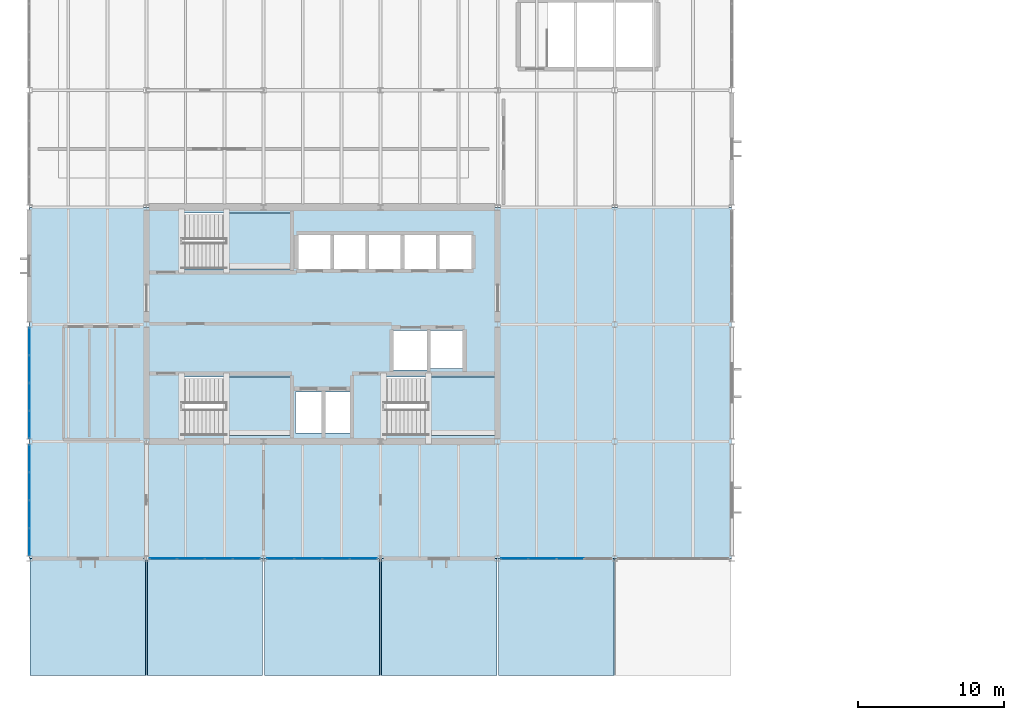
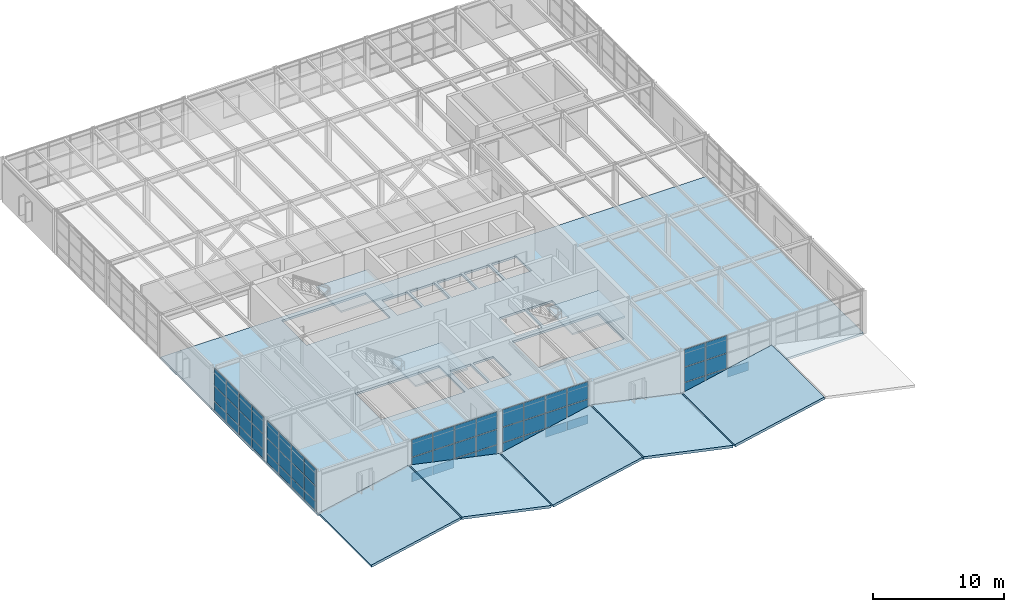
# One storey, part 21 of 34: 55 plates, 9 slabs, 8 elements without a shape of their own.
"""IFC4 building model written with IfcOpenShell, lengths in metres."""

from ifc_helpers import new_model, si_unit, direction, frame, origin, origin_2d, place, context, subcontext, project, spatial, polyline, rectangle, outline, extrude, material, layer, layer_set, type_object, element, aggregate, save


model = new_model("IFC4")

# Units and contexts
model_context = context("Model", 3, precision=1e-05, world=origin(), true_north=direction((0.0, 1.0)))
body_context = subcontext(model_context, "Body", "Model", "MODEL_VIEW")
ifc_project = project(units=[si_unit("LENGTHUNIT", "METRE"), si_unit("AREAUNIT", "SQUARE_METRE"), si_unit("VOLUMEUNIT", "CUBIC_METRE"), si_unit("PLANEANGLEUNIT", "RADIAN"), si_unit("MASSUNIT", "GRAM", prefix="KILO")], contexts=[model_context])

# Site, building, storey
site_placement = place(None, origin())
site = spatial("IfcSite", under=ifc_project, at=site_placement, CompositionType="ELEMENT")
building_placement = place(site_placement, origin())
building = spatial("IfcBuilding", under=site, at=building_placement, Name="Varnela Railside Interchange", CompositionType="ELEMENT")
storey_placement = place(building_placement, frame((0.0, 0.0, 19.60009765625)))
storey = spatial("IfcBuildingStorey", under=building, at=storey_placement, Name="L04", CompositionType="ELEMENT", Elevation=19.60009765625)

# Curtain wall, plates
ifc_material_1 = material(Name="Aluminium 6063-T6", Category="aluminium")
ifc_layer_1 = layer(ifc_material_1, 0.035888671875)
ifc_layer_set_1 = layer_set([ifc_layer_1], Name="Aluminium 6063-T6")
curtain_wall_type = type_object("IfcCurtainWallType", Name="Operations Wing Facade Curtain Wall CW-03", PredefinedType="USERDEFINED", material=ifc_layer_set_1)
curtain_wall_1_placement = place(storey_placement, origin())
curtain_wall_1 = element("IfcCurtainWall", 1, at=curtain_wall_1_placement, inside=storey, type_object=curtain_wall_type, Name="Curtain Wall CW-03 (L04) (CW-110)", ObjectType="CURTAIN WALL", PredefinedType="USERDEFINED")
ifc_material_2 = material(Name="Glass laminated double", Category="glass")
ifc_layer_2 = layer(ifc_material_2, 0.0400390625)
ifc_layer_set_2 = layer_set([ifc_layer_2], Name="Glass laminated double")
plate_type = type_object("IfcPlateType", Name="Acoustic Laminated Vision GL-03", PredefinedType="CURTAIN_PANEL", material=ifc_layer_set_2)
plate_1_placement = place(storey_placement, frame((40.953857421875, 46.0, 0.059814453125), z_axis=(0.0, 0.0, 1.0), x_axis=(-1.0, 0.0, 0.0)))
plate_1 = element("IfcPlate", 2, at=plate_1_placement, type_object=plate_type, Name="CW-03 panel 2.1", PredefinedType="CURTAIN_PANEL", context=body_context, shape_type="SweptSolid", body=[
    extrude(rectangle(XDim=1.847412109375, YDim=0.0400390625, at=origin_2d()), origin(), (0.0, 0.0, 1.0), 0.81005859375),
])
plate_2_placement = place(storey_placement, frame((39.046142578125, 46.0, 0.059814453125), z_axis=(0.0, 0.0, 1.0), x_axis=(-1.0, 0.0, 0.0)))
plate_2 = element("IfcPlate", 3, at=plate_2_placement, type_object=plate_type, Name="CW-03 panel 3.1", PredefinedType="CURTAIN_PANEL", context=body_context, shape_type="SweptSolid", body=[
    extrude(rectangle(XDim=1.847412109375, YDim=0.0400390625, at=origin_2d()), origin(), (0.0, 0.0, 1.0), 0.81005859375),
])
plate_3_placement = place(storey_placement, frame((39.046142578125, 46.0, 0.929931640625), z_axis=(0.0, 0.0, 1.0), x_axis=(-1.0, 0.0, 0.0)))
plate_3 = element("IfcPlate", 4, at=plate_3_placement, type_object=plate_type, Name="CW-03 panel 3.2", PredefinedType="CURTAIN_PANEL", context=body_context, shape_type="SweptSolid", body=[
    extrude(rectangle(XDim=1.847412109375, YDim=0.0400390625, at=origin_2d()), origin(), (0.0, 0.0, 1.0), 1.37158203125),
])
plate_4_placement = place(storey_placement, frame((39.046142578125, 46.0, 2.361328125), z_axis=(0.0, 0.0, 1.0), x_axis=(-1.0, 0.0, 0.0)))
plate_4 = element("IfcPlate", 5, at=plate_4_placement, type_object=plate_type, Name="CW-03 panel 3.3", PredefinedType="CURTAIN_PANEL", context=body_context, shape_type="SweptSolid", body=[
    extrude(rectangle(XDim=1.847412109375, YDim=0.0400390625, at=origin_2d()), origin(), (0.0, 0.0, 1.0), 1.598388671875),
])
plate_5_placement = place(storey_placement, frame((37.15380859375, 46.0, 0.059814453125), z_axis=(0.0, 0.0, 1.0), x_axis=(-1.0, 0.0, 0.0)))
plate_5 = element("IfcPlate", 6, at=plate_5_placement, type_object=plate_type, Name="CW-03 panel 4.1", PredefinedType="CURTAIN_PANEL", context=body_context, shape_type="SweptSolid", body=[
    extrude(rectangle(XDim=1.8173828125, YDim=0.0400390625, at=origin_2d()), origin(), (0.0, 0.0, 1.0), 0.81005859375),
])
plate_6_placement = place(storey_placement, frame((37.15380859375, 46.0, 0.929931640625), z_axis=(0.0, 0.0, 1.0), x_axis=(-1.0, 0.0, 0.0)))
plate_6 = element("IfcPlate", 7, at=plate_6_placement, type_object=plate_type, Name="CW-03 panel 4.2", PredefinedType="CURTAIN_PANEL", context=body_context, shape_type="SweptSolid", body=[
    extrude(rectangle(XDim=1.8173828125, YDim=0.0400390625, at=origin_2d()), origin(), (0.0, 0.0, 1.0), 1.37158203125),
])
plate_7_placement = place(storey_placement, frame((37.15380859375, 46.0, 2.361328125), z_axis=(0.0, 0.0, 1.0), x_axis=(-1.0, 0.0, 0.0)))
plate_7 = element("IfcPlate", 8, at=plate_7_placement, type_object=plate_type, Name="CW-03 panel 4.3", PredefinedType="CURTAIN_PANEL", context=body_context, shape_type="SweptSolid", body=[
    extrude(rectangle(XDim=1.8173828125, YDim=0.0400390625, at=origin_2d()), origin(), (0.0, 0.0, 1.0), 1.598388671875),
])
aggregate(curtain_wall_1, [plate_1, plate_2, plate_3, plate_4, plate_5, plate_6, plate_7])

curtain_wall_2_placement = place(storey_placement, origin())
curtain_wall_2 = element("IfcCurtainWall", 9, at=curtain_wall_2_placement, inside=storey, type_object=curtain_wall_type, Name="Curtain Wall CW-03 (L04) (CW-118)", ObjectType="CURTAIN WALL", PredefinedType="USERDEFINED")
plate_8_placement = place(storey_placement, frame((26.84619140625, 46.0, 0.059814453125), z_axis=(0.0, 0.0, 1.0), x_axis=(-1.0, 0.0, 0.0)))
plate_8 = element("IfcPlate", 10, at=plate_8_placement, type_object=plate_type, Name="CW-03 panel 1.1", PredefinedType="CURTAIN_PANEL", context=body_context, shape_type="SweptSolid", body=[
    extrude(rectangle(XDim=1.8173828125, YDim=0.0400390625, at=origin_2d()), origin(), (0.0, 0.0, 1.0), 0.81005859375),
])
plate_9_placement = place(storey_placement, frame((26.84619140625, 46.0, 0.929931640625), z_axis=(0.0, 0.0, 1.0), x_axis=(-1.0, 0.0, 0.0)))
plate_9 = element("IfcPlate", 11, at=plate_9_placement, type_object=plate_type, Name="CW-03 panel 1.2", PredefinedType="CURTAIN_PANEL", context=body_context, shape_type="SweptSolid", body=[
    extrude(rectangle(XDim=1.8173828125, YDim=0.0400390625, at=origin_2d()), origin(), (0.0, 0.0, 1.0), 1.37158203125),
])
plate_10_placement = place(storey_placement, frame((26.84619140625, 46.0, 2.361328125), z_axis=(0.0, 0.0, 1.0), x_axis=(-1.0, 0.0, 0.0)))
plate_10 = element("IfcPlate", 12, at=plate_10_placement, type_object=plate_type, Name="CW-03 panel 1.3", PredefinedType="CURTAIN_PANEL", context=body_context, shape_type="SweptSolid", body=[
    extrude(rectangle(XDim=1.8173828125, YDim=0.0400390625, at=origin_2d()), origin(), (0.0, 0.0, 1.0), 1.598388671875),
])
plate_11_placement = place(storey_placement, frame((24.953857421875, 46.0, 0.059814453125), z_axis=(0.0, 0.0, 1.0), x_axis=(-1.0, 0.0, 0.0)))
plate_11 = element("IfcPlate", 13, at=plate_11_placement, type_object=plate_type, Name="CW-03 panel 2.1", PredefinedType="CURTAIN_PANEL", context=body_context, shape_type="SweptSolid", body=[
    extrude(rectangle(XDim=1.847412109375, YDim=0.0400390625, at=origin_2d()), origin(), (0.0, 0.0, 1.0), 0.81005859375),
])
plate_12_placement = place(storey_placement, frame((24.953857421875, 46.0, 0.929931640625), z_axis=(0.0, 0.0, 1.0), x_axis=(-1.0, 0.0, 0.0)))
plate_12 = element("IfcPlate", 14, at=plate_12_placement, type_object=plate_type, Name="CW-03 panel 2.2", PredefinedType="CURTAIN_PANEL", context=body_context, shape_type="SweptSolid", body=[
    extrude(rectangle(XDim=1.847412109375, YDim=0.0400390625, at=origin_2d()), origin(), (0.0, 0.0, 1.0), 1.37158203125),
])
plate_13_placement = place(storey_placement, frame((24.953857421875, 46.0, 2.361328125), z_axis=(0.0, 0.0, 1.0), x_axis=(-1.0, 0.0, 0.0)))
plate_13 = element("IfcPlate", 15, at=plate_13_placement, type_object=plate_type, Name="CW-03 panel 2.3", PredefinedType="CURTAIN_PANEL", context=body_context, shape_type="SweptSolid", body=[
    extrude(rectangle(XDim=1.847412109375, YDim=0.0400390625, at=origin_2d()), origin(), (0.0, 0.0, 1.0), 1.598388671875),
])
plate_14_placement = place(storey_placement, frame((23.046142578125, 46.0, 0.059814453125), z_axis=(0.0, 0.0, 1.0), x_axis=(-1.0, 0.0, 0.0)))
plate_14 = element("IfcPlate", 16, at=plate_14_placement, type_object=plate_type, Name="CW-03 panel 3.1", PredefinedType="CURTAIN_PANEL", context=body_context, shape_type="SweptSolid", body=[
    extrude(rectangle(XDim=1.847412109375, YDim=0.0400390625, at=origin_2d()), origin(), (0.0, 0.0, 1.0), 0.81005859375),
])
plate_15_placement = place(storey_placement, frame((23.046142578125, 46.0, 0.929931640625), z_axis=(0.0, 0.0, 1.0), x_axis=(-1.0, 0.0, 0.0)))
plate_15 = element("IfcPlate", 17, at=plate_15_placement, type_object=plate_type, Name="CW-03 panel 3.2", PredefinedType="CURTAIN_PANEL", context=body_context, shape_type="SweptSolid", body=[
    extrude(rectangle(XDim=1.847412109375, YDim=0.0400390625, at=origin_2d()), origin(), (0.0, 0.0, 1.0), 1.37158203125),
])
plate_16_placement = place(storey_placement, frame((23.046142578125, 46.0, 2.361328125), z_axis=(0.0, 0.0, 1.0), x_axis=(-1.0, 0.0, 0.0)))
plate_16 = element("IfcPlate", 18, at=plate_16_placement, type_object=plate_type, Name="CW-03 panel 3.3", PredefinedType="CURTAIN_PANEL", context=body_context, shape_type="SweptSolid", body=[
    extrude(rectangle(XDim=1.847412109375, YDim=0.0400390625, at=origin_2d()), origin(), (0.0, 0.0, 1.0), 1.598388671875),
])
plate_17_placement = place(storey_placement, frame((21.15380859375, 46.0, 0.059814453125), z_axis=(0.0, 0.0, 1.0), x_axis=(-1.0, 0.0, 0.0)))
plate_17 = element("IfcPlate", 19, at=plate_17_placement, type_object=plate_type, Name="CW-03 panel 4.1", PredefinedType="CURTAIN_PANEL", context=body_context, shape_type="SweptSolid", body=[
    extrude(rectangle(XDim=1.8173828125, YDim=0.0400390625, at=origin_2d()), origin(), (0.0, 0.0, 1.0), 0.81005859375),
])
plate_18_placement = place(storey_placement, frame((21.15380859375, 46.0, 0.929931640625), z_axis=(0.0, 0.0, 1.0), x_axis=(-1.0, 0.0, 0.0)))
plate_18 = element("IfcPlate", 20, at=plate_18_placement, type_object=plate_type, Name="CW-03 panel 4.2", PredefinedType="CURTAIN_PANEL", context=body_context, shape_type="SweptSolid", body=[
    extrude(rectangle(XDim=1.8173828125, YDim=0.0400390625, at=origin_2d()), origin(), (0.0, 0.0, 1.0), 1.37158203125),
])
plate_19_placement = place(storey_placement, frame((21.15380859375, 46.0, 2.361328125), z_axis=(0.0, 0.0, 1.0), x_axis=(-1.0, 0.0, 0.0)))
plate_19 = element("IfcPlate", 21, at=plate_19_placement, type_object=plate_type, Name="CW-03 panel 4.3", PredefinedType="CURTAIN_PANEL", context=body_context, shape_type="SweptSolid", body=[
    extrude(rectangle(XDim=1.8173828125, YDim=0.0400390625, at=origin_2d()), origin(), (0.0, 0.0, 1.0), 1.598388671875),
])
aggregate(curtain_wall_2, [plate_8, plate_9, plate_10, plate_11, plate_12, plate_13, plate_14, plate_15, plate_16, plate_17, plate_18, plate_19])

curtain_wall_3_placement = place(storey_placement, origin())
curtain_wall_3 = element("IfcCurtainWall", 22, at=curtain_wall_3_placement, inside=storey, type_object=curtain_wall_type, Name="Curtain Wall CW-03 (L04) (CW-120)", ObjectType="CURTAIN WALL", PredefinedType="USERDEFINED")
plate_20_placement = place(storey_placement, frame((18.84619140625, 46.0, 0.059814453125), z_axis=(0.0, 0.0, 1.0), x_axis=(-1.0, 0.0, 0.0)))
plate_20 = element("IfcPlate", 23, at=plate_20_placement, type_object=plate_type, Name="CW-03 panel 1.1", PredefinedType="CURTAIN_PANEL", context=body_context, shape_type="SweptSolid", body=[
    extrude(rectangle(XDim=1.8173828125, YDim=0.0400390625, at=origin_2d()), origin(), (0.0, 0.0, 1.0), 0.81005859375),
])
plate_21_placement = place(storey_placement, frame((18.84619140625, 46.0, 0.929931640625), z_axis=(0.0, 0.0, 1.0), x_axis=(-1.0, 0.0, 0.0)))
plate_21 = element("IfcPlate", 24, at=plate_21_placement, type_object=plate_type, Name="CW-03 panel 1.2", PredefinedType="CURTAIN_PANEL", context=body_context, shape_type="SweptSolid", body=[
    extrude(rectangle(XDim=1.8173828125, YDim=0.0400390625, at=origin_2d()), origin(), (0.0, 0.0, 1.0), 1.37158203125),
])
plate_22_placement = place(storey_placement, frame((18.84619140625, 46.0, 2.361328125), z_axis=(0.0, 0.0, 1.0), x_axis=(-1.0, 0.0, 0.0)))
plate_22 = element("IfcPlate", 25, at=plate_22_placement, type_object=plate_type, Name="CW-03 panel 1.3", PredefinedType="CURTAIN_PANEL", context=body_context, shape_type="SweptSolid", body=[
    extrude(rectangle(XDim=1.8173828125, YDim=0.0400390625, at=origin_2d()), origin(), (0.0, 0.0, 1.0), 1.598388671875),
])
plate_23_placement = place(storey_placement, frame((16.953857421875, 46.0, 0.059814453125), z_axis=(0.0, 0.0, 1.0), x_axis=(-1.0, 0.0, 0.0)))
plate_23 = element("IfcPlate", 26, at=plate_23_placement, type_object=plate_type, Name="CW-03 panel 2.1", PredefinedType="CURTAIN_PANEL", context=body_context, shape_type="SweptSolid", body=[
    extrude(rectangle(XDim=1.847412109375, YDim=0.0400390625, at=origin_2d()), origin(), (0.0, 0.0, 1.0), 0.81005859375),
])
plate_24_placement = place(storey_placement, frame((16.953857421875, 46.0, 0.929931640625), z_axis=(0.0, 0.0, 1.0), x_axis=(-1.0, 0.0, 0.0)))
plate_24 = element("IfcPlate", 27, at=plate_24_placement, type_object=plate_type, Name="CW-03 panel 2.2", PredefinedType="CURTAIN_PANEL", context=body_context, shape_type="SweptSolid", body=[
    extrude(rectangle(XDim=1.847412109375, YDim=0.0400390625, at=origin_2d()), origin(), (0.0, 0.0, 1.0), 1.37158203125),
])
plate_25_placement = place(storey_placement, frame((16.953857421875, 46.0, 2.361328125), z_axis=(0.0, 0.0, 1.0), x_axis=(-1.0, 0.0, 0.0)))
plate_25 = element("IfcPlate", 28, at=plate_25_placement, type_object=plate_type, Name="CW-03 panel 2.3", PredefinedType="CURTAIN_PANEL", context=body_context, shape_type="SweptSolid", body=[
    extrude(rectangle(XDim=1.847412109375, YDim=0.0400390625, at=origin_2d()), origin(), (0.0, 0.0, 1.0), 1.598388671875),
])
plate_26_placement = place(storey_placement, frame((15.046142578125, 46.0, 0.059814453125), z_axis=(0.0, 0.0, 1.0), x_axis=(-1.0, 0.0, 0.0)))
plate_26 = element("IfcPlate", 29, at=plate_26_placement, type_object=plate_type, Name="CW-03 panel 3.1", PredefinedType="CURTAIN_PANEL", context=body_context, shape_type="SweptSolid", body=[
    extrude(rectangle(XDim=1.847412109375, YDim=0.0400390625, at=origin_2d()), origin(), (0.0, 0.0, 1.0), 0.81005859375),
])
plate_27_placement = place(storey_placement, frame((15.046142578125, 46.0, 0.929931640625), z_axis=(0.0, 0.0, 1.0), x_axis=(-1.0, 0.0, 0.0)))
plate_27 = element("IfcPlate", 30, at=plate_27_placement, type_object=plate_type, Name="CW-03 panel 3.2", PredefinedType="CURTAIN_PANEL", context=body_context, shape_type="SweptSolid", body=[
    extrude(rectangle(XDim=1.847412109375, YDim=0.0400390625, at=origin_2d()), origin(), (0.0, 0.0, 1.0), 1.37158203125),
])
plate_28_placement = place(storey_placement, frame((15.046142578125, 46.0, 2.361328125), z_axis=(0.0, 0.0, 1.0), x_axis=(-1.0, 0.0, 0.0)))
plate_28 = element("IfcPlate", 31, at=plate_28_placement, type_object=plate_type, Name="CW-03 panel 3.3", PredefinedType="CURTAIN_PANEL", context=body_context, shape_type="SweptSolid", body=[
    extrude(rectangle(XDim=1.847412109375, YDim=0.0400390625, at=origin_2d()), origin(), (0.0, 0.0, 1.0), 1.598388671875),
])
plate_29_placement = place(storey_placement, frame((13.15380859375, 46.0, 0.059814453125), z_axis=(0.0, 0.0, 1.0), x_axis=(-1.0, 0.0, 0.0)))
plate_29 = element("IfcPlate", 32, at=plate_29_placement, type_object=plate_type, Name="CW-03 panel 4.1", PredefinedType="CURTAIN_PANEL", context=body_context, shape_type="SweptSolid", body=[
    extrude(rectangle(XDim=1.8173828125, YDim=0.0400390625, at=origin_2d()), origin(), (0.0, 0.0, 1.0), 0.81005859375),
])
plate_30_placement = place(storey_placement, frame((13.15380859375, 46.0, 0.929931640625), z_axis=(0.0, 0.0, 1.0), x_axis=(-1.0, 0.0, 0.0)))
plate_30 = element("IfcPlate", 33, at=plate_30_placement, type_object=plate_type, Name="CW-03 panel 4.2", PredefinedType="CURTAIN_PANEL", context=body_context, shape_type="SweptSolid", body=[
    extrude(rectangle(XDim=1.8173828125, YDim=0.0400390625, at=origin_2d()), origin(), (0.0, 0.0, 1.0), 1.37158203125),
])
plate_31_placement = place(storey_placement, frame((13.15380859375, 46.0, 2.361328125), z_axis=(0.0, 0.0, 1.0), x_axis=(-1.0, 0.0, 0.0)))
plate_31 = element("IfcPlate", 34, at=plate_31_placement, type_object=plate_type, Name="CW-03 panel 4.3", PredefinedType="CURTAIN_PANEL", context=body_context, shape_type="SweptSolid", body=[
    extrude(rectangle(XDim=1.8173828125, YDim=0.0400390625, at=origin_2d()), origin(), (0.0, 0.0, 1.0), 1.598388671875),
])
aggregate(curtain_wall_3, [plate_20, plate_21, plate_22, plate_23, plate_24, plate_25, plate_26, plate_27, plate_28, plate_29, plate_30, plate_31])

curtain_wall_4_placement = place(storey_placement, origin())
curtain_wall_4 = element("IfcCurtainWall", 35, at=curtain_wall_4_placement, inside=storey, type_object=curtain_wall_type, Name="Curtain Wall CW-03 (L04) (CW-121)", ObjectType="CURTAIN WALL", PredefinedType="USERDEFINED")
plate_32_placement = place(storey_placement, frame((4.0, 47.14990234375, 0.059814453125), z_axis=(0.0, 0.0, 1.0), x_axis=(0.0, 1.0, 0.0)))
plate_32 = element("IfcPlate", 36, at=plate_32_placement, type_object=plate_type, Name="CW-03 panel 1.1", PredefinedType="CURTAIN_PANEL", context=body_context, shape_type="SweptSolid", body=[
    extrude(rectangle(XDim=1.820068359375, YDim=0.0400390625, at=origin_2d()), origin(), (0.0, 0.0, 1.0), 0.81005859375),
])
plate_33_placement = place(storey_placement, frame((4.0, 47.14990234375, 0.929931640625), z_axis=(0.0, 0.0, 1.0), x_axis=(0.0, 1.0, 0.0)))
plate_33 = element("IfcPlate", 37, at=plate_33_placement, type_object=plate_type, Name="CW-03 panel 1.2", PredefinedType="CURTAIN_PANEL", context=body_context, shape_type="SweptSolid", body=[
    extrude(rectangle(XDim=1.820068359375, YDim=0.0400390625, at=origin_2d()), origin(), (0.0, 0.0, 1.0), 1.37158203125),
])
plate_34_placement = place(storey_placement, frame((4.0, 47.14990234375, 2.361328125), z_axis=(0.0, 0.0, 1.0), x_axis=(0.0, 1.0, 0.0)))
plate_34 = element("IfcPlate", 38, at=plate_34_placement, type_object=plate_type, Name="CW-03 panel 1.3", PredefinedType="CURTAIN_PANEL", context=body_context, shape_type="SweptSolid", body=[
    extrude(rectangle(XDim=1.820068359375, YDim=0.0400390625, at=origin_2d()), origin(), (0.0, 0.0, 1.0), 1.598388671875),
])
plate_35_placement = place(storey_placement, frame((4.0, 49.044921875, 0.059814453125), z_axis=(0.0, 0.0, 1.0), x_axis=(0.0, 1.0, 0.0)))
plate_35 = element("IfcPlate", 39, at=plate_35_placement, type_object=plate_type, Name="CW-03 panel 2.1", PredefinedType="CURTAIN_PANEL", context=body_context, shape_type="SweptSolid", body=[
    extrude(rectangle(XDim=1.85009765625, YDim=0.0400390625, at=origin_2d()), origin(), (0.0, 0.0, 1.0), 0.81005859375),
])
plate_36_placement = place(storey_placement, frame((4.0, 49.044921875, 0.929931640625), z_axis=(0.0, 0.0, 1.0), x_axis=(0.0, 1.0, 0.0)))
plate_36 = element("IfcPlate", 40, at=plate_36_placement, type_object=plate_type, Name="CW-03 panel 2.2", PredefinedType="CURTAIN_PANEL", context=body_context, shape_type="SweptSolid", body=[
    extrude(rectangle(XDim=1.85009765625, YDim=0.0400390625, at=origin_2d()), origin(), (0.0, 0.0, 1.0), 1.37158203125),
])
plate_37_placement = place(storey_placement, frame((4.0, 49.044921875, 2.361328125), z_axis=(0.0, 0.0, 1.0), x_axis=(0.0, 1.0, 0.0)))
plate_37 = element("IfcPlate", 41, at=plate_37_placement, type_object=plate_type, Name="CW-03 panel 2.3", PredefinedType="CURTAIN_PANEL", context=body_context, shape_type="SweptSolid", body=[
    extrude(rectangle(XDim=1.85009765625, YDim=0.0400390625, at=origin_2d()), origin(), (0.0, 0.0, 1.0), 1.598388671875),
])
plate_38_placement = place(storey_placement, frame((4.0, 50.955078125, 0.059814453125), z_axis=(0.0, 0.0, 1.0), x_axis=(0.0, 1.0, 0.0)))
plate_38 = element("IfcPlate", 42, at=plate_38_placement, type_object=plate_type, Name="CW-03 panel 3.1", PredefinedType="CURTAIN_PANEL", context=body_context, shape_type="SweptSolid", body=[
    extrude(rectangle(XDim=1.85009765625, YDim=0.0400390625, at=origin_2d()), origin(), (0.0, 0.0, 1.0), 0.81005859375),
])
plate_39_placement = place(storey_placement, frame((4.0, 50.955078125, 0.929931640625), z_axis=(0.0, 0.0, 1.0), x_axis=(0.0, 1.0, 0.0)))
plate_39 = element("IfcPlate", 43, at=plate_39_placement, type_object=plate_type, Name="CW-03 panel 3.2", PredefinedType="CURTAIN_PANEL", context=body_context, shape_type="SweptSolid", body=[
    extrude(rectangle(XDim=1.85009765625, YDim=0.0400390625, at=origin_2d()), origin(), (0.0, 0.0, 1.0), 1.37158203125),
])
plate_40_placement = place(storey_placement, frame((4.0, 50.955078125, 2.361328125), z_axis=(0.0, 0.0, 1.0), x_axis=(0.0, 1.0, 0.0)))
plate_40 = element("IfcPlate", 44, at=plate_40_placement, type_object=plate_type, Name="CW-03 panel 3.3", PredefinedType="CURTAIN_PANEL", context=body_context, shape_type="SweptSolid", body=[
    extrude(rectangle(XDim=1.85009765625, YDim=0.0400390625, at=origin_2d()), origin(), (0.0, 0.0, 1.0), 1.598388671875),
])
plate_41_placement = place(storey_placement, frame((4.0, 52.85009765625, 0.059814453125), z_axis=(0.0, 0.0, 1.0), x_axis=(0.0, 1.0, 0.0)))
plate_41 = element("IfcPlate", 45, at=plate_41_placement, type_object=plate_type, Name="CW-03 panel 4.1", PredefinedType="CURTAIN_PANEL", context=body_context, shape_type="SweptSolid", body=[
    extrude(rectangle(XDim=1.820068359375, YDim=0.0400390625, at=origin_2d()), origin(), (0.0, 0.0, 1.0), 0.81005859375),
])
plate_42_placement = place(storey_placement, frame((4.0, 52.85009765625, 0.929931640625), z_axis=(0.0, 0.0, 1.0), x_axis=(0.0, 1.0, 0.0)))
plate_42 = element("IfcPlate", 46, at=plate_42_placement, type_object=plate_type, Name="CW-03 panel 4.2", PredefinedType="CURTAIN_PANEL", context=body_context, shape_type="SweptSolid", body=[
    extrude(rectangle(XDim=1.820068359375, YDim=0.0400390625, at=origin_2d()), origin(), (0.0, 0.0, 1.0), 1.37158203125),
])
plate_43_placement = place(storey_placement, frame((4.0, 52.85009765625, 2.361328125), z_axis=(0.0, 0.0, 1.0), x_axis=(0.0, 1.0, 0.0)))
plate_43 = element("IfcPlate", 47, at=plate_43_placement, type_object=plate_type, Name="CW-03 panel 4.3", PredefinedType="CURTAIN_PANEL", context=body_context, shape_type="SweptSolid", body=[
    extrude(rectangle(XDim=1.820068359375, YDim=0.0400390625, at=origin_2d()), origin(), (0.0, 0.0, 1.0), 1.598388671875),
])
aggregate(curtain_wall_4, [plate_32, plate_33, plate_34, plate_35, plate_36, plate_37, plate_38, plate_39, plate_40, plate_41, plate_42, plate_43])

curtain_wall_5_placement = place(storey_placement, origin())
curtain_wall_5 = element("IfcCurtainWall", 48, at=curtain_wall_5_placement, inside=storey, type_object=curtain_wall_type, Name="Curtain Wall CW-03 (L04) (CW-122)", ObjectType="CURTAIN WALL", PredefinedType="USERDEFINED")
plate_44_placement = place(storey_placement, frame((4.0, 55.14990234375, 0.059814453125), z_axis=(0.0, 0.0, 1.0), x_axis=(0.0, 1.0, 0.0)))
plate_44 = element("IfcPlate", 49, at=plate_44_placement, type_object=plate_type, Name="CW-03 panel 1.1", PredefinedType="CURTAIN_PANEL", context=body_context, shape_type="SweptSolid", body=[
    extrude(rectangle(XDim=1.820068359375, YDim=0.0400390625, at=origin_2d()), origin(), (0.0, 0.0, 1.0), 0.81005859375),
])
plate_45_placement = place(storey_placement, frame((4.0, 55.14990234375, 0.929931640625), z_axis=(0.0, 0.0, 1.0), x_axis=(0.0, 1.0, 0.0)))
plate_45 = element("IfcPlate", 50, at=plate_45_placement, type_object=plate_type, Name="CW-03 panel 1.2", PredefinedType="CURTAIN_PANEL", context=body_context, shape_type="SweptSolid", body=[
    extrude(rectangle(XDim=1.820068359375, YDim=0.0400390625, at=origin_2d()), origin(), (0.0, 0.0, 1.0), 1.37158203125),
])
plate_46_placement = place(storey_placement, frame((4.0, 55.14990234375, 2.361328125), z_axis=(0.0, 0.0, 1.0), x_axis=(0.0, 1.0, 0.0)))
plate_46 = element("IfcPlate", 51, at=plate_46_placement, type_object=plate_type, Name="CW-03 panel 1.3", PredefinedType="CURTAIN_PANEL", context=body_context, shape_type="SweptSolid", body=[
    extrude(rectangle(XDim=1.820068359375, YDim=0.0400390625, at=origin_2d()), origin(), (0.0, 0.0, 1.0), 1.598388671875),
])
plate_47_placement = place(storey_placement, frame((4.0, 57.044921875, 0.059814453125), z_axis=(0.0, 0.0, 1.0), x_axis=(0.0, 1.0, 0.0)))
plate_47 = element("IfcPlate", 52, at=plate_47_placement, type_object=plate_type, Name="CW-03 panel 2.1", PredefinedType="CURTAIN_PANEL", context=body_context, shape_type="SweptSolid", body=[
    extrude(rectangle(XDim=1.85009765625, YDim=0.0400390625, at=origin_2d()), origin(), (0.0, 0.0, 1.0), 0.81005859375),
])
plate_48_placement = place(storey_placement, frame((4.0, 57.044921875, 0.929931640625), z_axis=(0.0, 0.0, 1.0), x_axis=(0.0, 1.0, 0.0)))
plate_48 = element("IfcPlate", 53, at=plate_48_placement, type_object=plate_type, Name="CW-03 panel 2.2", PredefinedType="CURTAIN_PANEL", context=body_context, shape_type="SweptSolid", body=[
    extrude(rectangle(XDim=1.85009765625, YDim=0.0400390625, at=origin_2d()), origin(), (0.0, 0.0, 1.0), 1.37158203125),
])
plate_49_placement = place(storey_placement, frame((4.0, 57.044921875, 2.361328125), z_axis=(0.0, 0.0, 1.0), x_axis=(0.0, 1.0, 0.0)))
plate_49 = element("IfcPlate", 54, at=plate_49_placement, type_object=plate_type, Name="CW-03 panel 2.3", PredefinedType="CURTAIN_PANEL", context=body_context, shape_type="SweptSolid", body=[
    extrude(rectangle(XDim=1.85009765625, YDim=0.0400390625, at=origin_2d()), origin(), (0.0, 0.0, 1.0), 1.598388671875),
])
plate_50_placement = place(storey_placement, frame((4.0, 58.955078125, 0.059814453125), z_axis=(0.0, 0.0, 1.0), x_axis=(0.0, 1.0, 0.0)))
plate_50 = element("IfcPlate", 55, at=plate_50_placement, type_object=plate_type, Name="CW-03 panel 3.1", PredefinedType="CURTAIN_PANEL", context=body_context, shape_type="SweptSolid", body=[
    extrude(rectangle(XDim=1.85009765625, YDim=0.0400390625, at=origin_2d()), origin(), (0.0, 0.0, 1.0), 0.81005859375),
])
plate_51_placement = place(storey_placement, frame((4.0, 58.955078125, 0.929931640625), z_axis=(0.0, 0.0, 1.0), x_axis=(0.0, 1.0, 0.0)))
plate_51 = element("IfcPlate", 56, at=plate_51_placement, type_object=plate_type, Name="CW-03 panel 3.2", PredefinedType="CURTAIN_PANEL", context=body_context, shape_type="SweptSolid", body=[
    extrude(rectangle(XDim=1.85009765625, YDim=0.0400390625, at=origin_2d()), origin(), (0.0, 0.0, 1.0), 1.37158203125),
])
plate_52_placement = place(storey_placement, frame((4.0, 58.955078125, 2.361328125), z_axis=(0.0, 0.0, 1.0), x_axis=(0.0, 1.0, 0.0)))
plate_52 = element("IfcPlate", 57, at=plate_52_placement, type_object=plate_type, Name="CW-03 panel 3.3", PredefinedType="CURTAIN_PANEL", context=body_context, shape_type="SweptSolid", body=[
    extrude(rectangle(XDim=1.85009765625, YDim=0.0400390625, at=origin_2d()), origin(), (0.0, 0.0, 1.0), 1.598388671875),
])
plate_53_placement = place(storey_placement, frame((4.0, 60.85009765625, 0.059814453125), z_axis=(0.0, 0.0, 1.0), x_axis=(0.0, 1.0, 0.0)))
plate_53 = element("IfcPlate", 58, at=plate_53_placement, type_object=plate_type, Name="CW-03 panel 4.1", PredefinedType="CURTAIN_PANEL", context=body_context, shape_type="SweptSolid", body=[
    extrude(rectangle(XDim=1.820068359375, YDim=0.0400390625, at=origin_2d()), origin(), (0.0, 0.0, 1.0), 0.81005859375),
])
plate_54_placement = place(storey_placement, frame((4.0, 60.85009765625, 0.929931640625), z_axis=(0.0, 0.0, 1.0), x_axis=(0.0, 1.0, 0.0)))
plate_54 = element("IfcPlate", 59, at=plate_54_placement, type_object=plate_type, Name="CW-03 panel 4.2", PredefinedType="CURTAIN_PANEL", context=body_context, shape_type="SweptSolid", body=[
    extrude(rectangle(XDim=1.820068359375, YDim=0.0400390625, at=origin_2d()), origin(), (0.0, 0.0, 1.0), 1.37158203125),
])
plate_55_placement = place(storey_placement, frame((4.0, 60.85009765625, 2.361328125), z_axis=(0.0, 0.0, 1.0), x_axis=(0.0, 1.0, 0.0)))
plate_55 = element("IfcPlate", 60, at=plate_55_placement, type_object=plate_type, Name="CW-03 panel 4.3", PredefinedType="CURTAIN_PANEL", context=body_context, shape_type="SweptSolid", body=[
    extrude(rectangle(XDim=1.820068359375, YDim=0.0400390625, at=origin_2d()), origin(), (0.0, 0.0, 1.0), 1.598388671875),
])
aggregate(curtain_wall_5, [plate_44, plate_45, plate_46, plate_47, plate_48, plate_49, plate_50, plate_51, plate_52, plate_53, plate_54, plate_55])

# Slabs
ifc_material_3 = material(Name="Concrete C40", Category="concrete")
ifc_layer_3 = layer(ifc_material_3, 0.199951171875)
ifc_layer_set_3 = layer_set([ifc_layer_3], Name="Concrete C40")
slab_type_1 = type_object("IfcSlabType", Name="Community & Simulator Slab SL-200B", PredefinedType="FLOOR", material=ifc_layer_set_3)
slab_1_placement = place(storey_placement, frame((0.0, 0.0, -0.2001953125)))
element("IfcSlab", 61, at=slab_1_placement, inside=storey, type_object=slab_type_1, Name="Community & Simulator Slab SL-200B (L04) (SL-0182)", PredefinedType="FLOOR", context=body_context, shape_type="SweptSolid", body=[
    extrude(outline(polyline([(4.0, 46.0), (52.0, 46.0), (52.0, 70.0), (4.0, 70.0), (4.0, 46.0)]), holes=[polyline([(14.429931640625, 54.39990234375), (21.800048828125, 54.39990234375), (21.800048828125, 58.39990234375), (14.429931640625, 58.39990234375), (14.429931640625, 54.39990234375)]), polyline([(28.22998046875, 54.39990234375), (35.800048828125, 54.39990234375), (35.800048828125, 58.39990234375), (28.22998046875, 58.39990234375), (28.22998046875, 54.39990234375)]), polyline([(14.429931640625, 65.800048828125), (21.800048828125, 65.800048828125), (21.800048828125, 69.60009765625), (14.429931640625, 69.60009765625), (14.429931640625, 65.800048828125)]), polyline([(22.199951171875, 54.60009765625), (24.0, 54.60009765625), (24.0, 57.39990234375), (22.199951171875, 57.39990234375), (22.199951171875, 54.60009765625)]), polyline([(24.199951171875, 54.60009765625), (26.0, 54.60009765625), (26.0, 57.39990234375), (24.199951171875, 57.39990234375), (24.199951171875, 54.60009765625)]), polyline([(22.39990234375, 65.800048828125), (24.60009765625, 65.800048828125), (24.60009765625, 68.10009765625), (22.39990234375, 68.10009765625), (22.39990234375, 65.800048828125)]), polyline([(24.800048828125, 65.800048828125), (27.0, 65.800048828125), (27.0, 68.10009765625), (24.800048828125, 68.10009765625), (24.800048828125, 65.800048828125)]), polyline([(27.199951171875, 65.800048828125), (29.39990234375, 65.800048828125), (29.39990234375, 68.10009765625), (27.199951171875, 68.10009765625), (27.199951171875, 65.800048828125)]), polyline([(29.60009765625, 65.800048828125), (31.800048828125, 65.800048828125), (31.800048828125, 68.10009765625), (29.60009765625, 68.10009765625), (29.60009765625, 65.800048828125)]), polyline([(32.0, 65.800048828125), (34.199951171875, 65.800048828125), (34.199951171875, 68.10009765625), (32.0, 68.10009765625), (32.0, 65.800048828125)]), polyline([(31.39990234375, 59.0), (33.60009765625, 59.0), (33.60009765625, 61.60009765625), (31.39990234375, 61.60009765625), (31.39990234375, 59.0)]), polyline([(28.89990234375, 58.89990234375), (31.199951171875, 58.89990234375), (31.199951171875, 61.60009765625), (28.89990234375, 61.60009765625), (28.89990234375, 58.89990234375)])]), origin(), (0.0, 0.0, 1.0), 0.2001953125),
])
ifc_layer_4 = layer(ifc_material_3, 0.22998046875)
ifc_layer_set_4 = layer_set([ifc_layer_4], Name="Concrete C40")
slab_type_2 = type_object("IfcSlabType", Name="Folded Concrete Pavilion Roof Shell FS-01", PredefinedType="ROOF", material=ifc_layer_set_4)
for number, where, z_axis, x_axis, name in (
    (62, (4.06005859375, 38.0, 0.014892578125), (-0.209115246691, 0.0, 0.977891002925), (0.977891002925, 0.0, 0.209115246691), "Folded Concrete Pavilion Roof Shell FS-01 (L04) (SL-0184)"),
    (63, (12.06005859375, 38.0, 1.699951171875), (0.209115246691, 0.0, 0.977891002925), (0.977891002925, 0.0, -0.209115246691), "Folded Concrete Pavilion Roof Shell FS-01 (L04) (SL-0185)"),
    (64, (20.06005859375, 38.0, 0.014892578125), (-0.209115246691, 0.0, 0.977891002925), (0.977891002925, 0.0, 0.209115246691), "Folded Concrete Pavilion Roof Shell FS-01 (L04) (SL-0186)"),
    (65, (28.06005859375, 38.0, 1.699951171875), (0.209115246691, 0.0, 0.977891002925), (0.977891002925, 0.0, -0.209115246691), "Folded Concrete Pavilion Roof Shell FS-01 (L04) (SL-0187)"),
    (66, (36.06005859375, 38.0, 0.014892578125), (-0.209115246691, 0.0, 0.977891002925), (0.977891002925, 0.0, 0.209115246691), "Folded Concrete Pavilion Roof Shell FS-01 (L04) (SL-0188)"),
):
    element("IfcSlab", number, at=place(storey_placement, frame(where, z_axis=z_axis, x_axis=x_axis)), inside=storey, type_object=slab_type_2, Name=name, PredefinedType="ROOF", context=body_context, shape_type="SweptSolid", body=[
        extrude(outline(polyline([(0.0, 0.0), (8.058037949966707, 0.0), (8.058037949966707, 7.999999999999999), (0.0, 7.999999999999999), (0.0, 0.0)])), origin(), (0.0, 0.0, -1.0), 0.22998046875),
    ])

# Stair, slab
stair_type = type_object("IfcStairType", Name="Core Pressurized Stair ST-165", PredefinedType="TWO_STRAIGHT_RUN_STAIR", material=ifc_material_3)
stair_1_placement = place(storey_placement, origin())
stair_1 = element("IfcStair", 67, at=stair_1_placement, inside=storey, type_object=stair_type, Name="Stair ST-T1 (L04) (SF-193)", PredefinedType="TWO_STRAIGHT_RUN_STAIR")
ifc_layer_5 = layer(ifc_material_3, 0.159912109375)
ifc_layer_set_5 = layer_set([ifc_layer_5], Name="Concrete C40")
slab_type_3 = type_object("IfcSlabType", Name="Stair Half-Landing Slab SL-LD", PredefinedType="LANDING", material=ifc_layer_set_5)
slab_2_placement = place(storey_placement, frame((0.0, 0.0, 1.93994140625)))
slab_2 = element("IfcSlab", 68, at=slab_2_placement, type_object=slab_type_3, Name="ST-T1 landing 1 (SL-0190)", PredefinedType="LANDING", context=body_context, shape_type="SweptSolid", body=[
    extrude(outline(polyline([(17.449951171875, 54.39990234375), (22.06005859375, 54.39990234375), (22.06005859375, 58.39990234375), (17.449951171875, 58.39990234375), (17.449951171875, 54.39990234375)])), origin(), (0.0, 0.0, 1.0), 0.159912109375),
])
aggregate(stair_1, [slab_2])

stair_2_placement = place(storey_placement, origin())
stair_2 = element("IfcStair", 69, at=stair_2_placement, inside=storey, type_object=stair_type, Name="Stair ST-T2 (L04) (SF-196)", PredefinedType="TWO_STRAIGHT_RUN_STAIR")
slab_3_placement = place(storey_placement, frame((0.0, 0.0, 1.93994140625)))
slab_3 = element("IfcSlab", 70, at=slab_3_placement, type_object=slab_type_3, Name="ST-T2 landing 1 (SL-0191)", PredefinedType="LANDING", context=body_context, shape_type="SweptSolid", body=[
    extrude(outline(polyline([(31.25, 54.39990234375), (35.860107421875, 54.39990234375), (35.860107421875, 58.39990234375), (31.25, 58.39990234375), (31.25, 54.39990234375)])), origin(), (0.0, 0.0, 1.0), 0.159912109375),
])
aggregate(stair_2, [slab_3])

stair_3_placement = place(storey_placement, origin())
stair_3 = element("IfcStair", 71, at=stair_3_placement, inside=storey, type_object=stair_type, Name="Stair ST-T3 (L04) (SF-199)", PredefinedType="TWO_STRAIGHT_RUN_STAIR")
slab_4_placement = place(storey_placement, frame((0.0, 0.0, 1.93994140625)))
slab_4 = element("IfcSlab", 72, at=slab_4_placement, type_object=slab_type_3, Name="ST-T3 landing 1 (SL-0192)", PredefinedType="LANDING", context=body_context, shape_type="SweptSolid", body=[
    extrude(outline(polyline([(17.449951171875, 65.800048828125), (22.06005859375, 65.800048828125), (22.06005859375, 69.60009765625), (17.449951171875, 69.60009765625), (17.449951171875, 65.800048828125)])), origin(), (0.0, 0.0, 1.0), 0.159912109375),
])
aggregate(stair_3, [slab_4])

save(model, "model.ifc")
